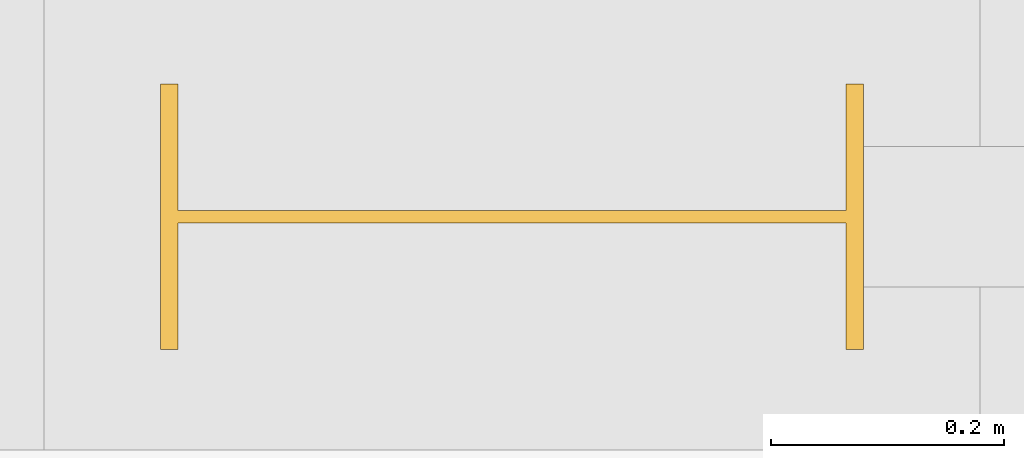
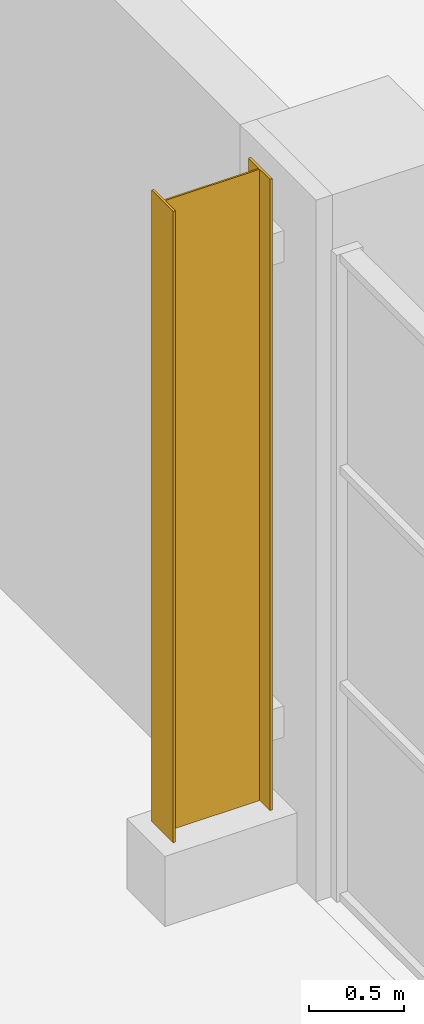
# One storey, part 145 of 168: 1 shading device.
"""IFC4 building model written with IfcOpenShell, lengths in metres."""

from ifc_helpers import new_model, si_unit, direction, frame, origin, origin_2d, place, context, subcontext, project, spatial, i_section, extrude, material, material_profile, profile_set, type_object, element, save


model = new_model("IFC4")

# Units and contexts
model_context = context("Model", 3, precision=1e-05, world=origin(), true_north=direction((0.0, 1.0)))
body_context = subcontext(model_context, "Body", "Model", "MODEL_VIEW")
ifc_project = project(units=[si_unit("LENGTHUNIT", "METRE"), si_unit("AREAUNIT", "SQUARE_METRE"), si_unit("VOLUMEUNIT", "CUBIC_METRE"), si_unit("PLANEANGLEUNIT", "RADIAN"), si_unit("MASSUNIT", "GRAM", prefix="KILO")], contexts=[model_context])

# Site, building, storey
site_placement = place(None, origin())
site = spatial("IfcSite", under=ifc_project, at=site_placement, CompositionType="ELEMENT")
building_placement = place(site_placement, origin())
building = spatial("IfcBuilding", under=site, at=building_placement, Name="Silverbay Arena", CompositionType="ELEMENT")
storey_placement = place(building_placement, frame((0.0, 0.0, 7.0)))
storey = spatial("IfcBuildingStorey", under=building, at=storey_placement, Name="L01", CompositionType="ELEMENT", Elevation=7.0)

# Shading device
ifc_material = material(Name="Steel S355", Category="steel")
ifc_material_profile = material_profile(ifc_material, i_section(OverallWidth=0.2275390625, OverallDepth=0.6025390625, WebThickness=0.010498046875, FlangeThickness=0.014892578125, at=origin_2d()), Name="UB 610x229x101")
ifc_profile_set = profile_set([ifc_material_profile], Name="Steel S355")
shading_device_type = type_object("IfcShadingDeviceType", Name="Steel fin UB 610x229x101", PredefinedType="USERDEFINED", material=ifc_profile_set)
shading_device_placement = place(storey_placement, frame((26.0986328125, 72.0, 0.449951171875), z_axis=(0.0, 0.0, 1.0), x_axis=(0.0, 1.0, 0.0)))
element("IfcShadingDevice", 1, at=shading_device_placement, inside=storey, type_object=shading_device_type, Name="Steel fin W L01 12", ObjectType="FIN", PredefinedType="USERDEFINED", context=body_context, shape_type="SweptSolid", body=[
    extrude(i_section(OverallWidth=0.2275390625, OverallDepth=0.6025390625, WebThickness=0.010498046875, FlangeThickness=0.014892578125, at=origin_2d()), origin(), (0.0, 0.0, 1.0), 4.050048828125),
])

save(model, "model.ifc")
